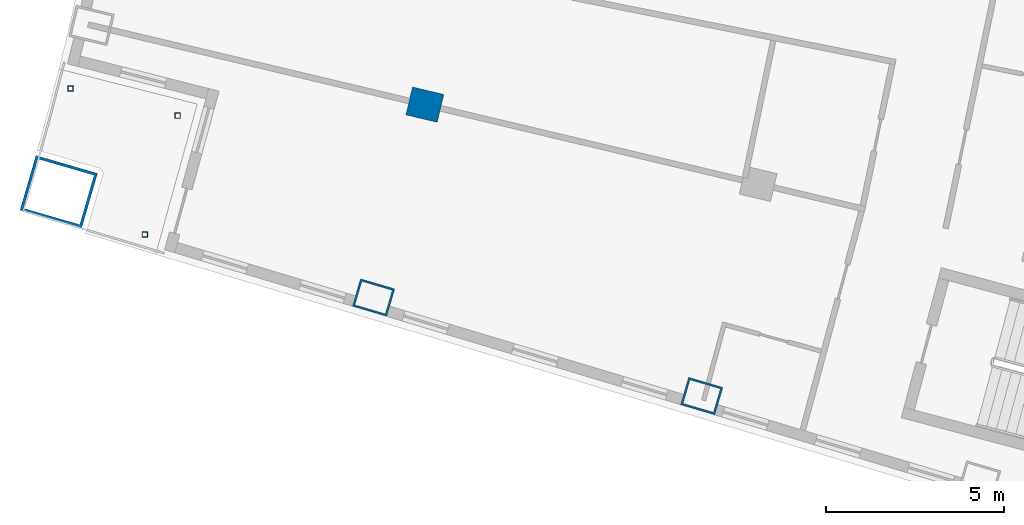
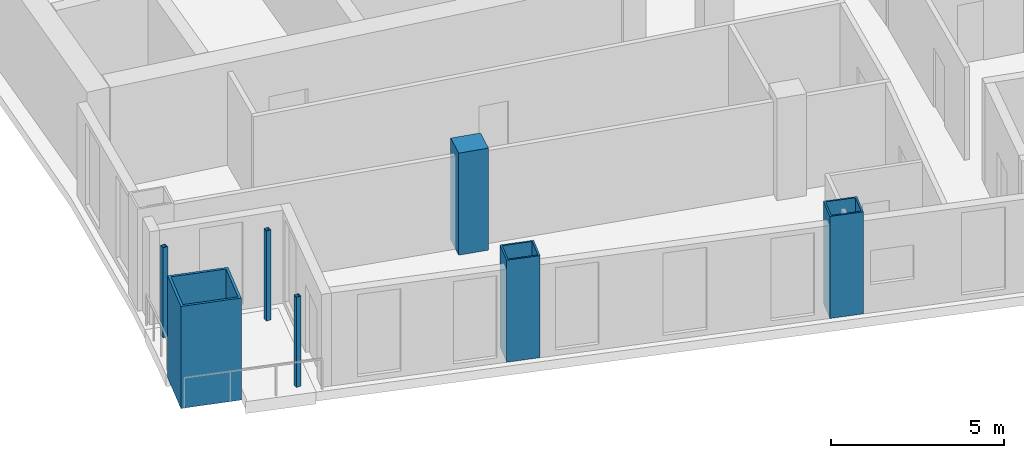
# One storey, part 1 of 20: 7 columns.
"""IFC4 building model written with IfcOpenShell, lengths in metres."""

from ifc_helpers import new_model, si_unit, direction, frame, origin, origin_2d, place, context, subcontext, project, spatial, rectangle, hollow_rectangle, extrude, material, material_profile, profile_set, type_object, element, save


model = new_model("IFC4")

# Units and contexts
model_context = context("Model", 3, precision=1e-05, world=origin(), true_north=direction((0.0, 1.0)))
body_context = subcontext(model_context, "Body", "Model", "MODEL_VIEW")
ifc_project = project(units=[si_unit("LENGTHUNIT", "METRE"), si_unit("AREAUNIT", "SQUARE_METRE"), si_unit("VOLUMEUNIT", "CUBIC_METRE"), si_unit("PLANEANGLEUNIT", "RADIAN"), si_unit("MASSUNIT", "GRAM", prefix="KILO")], contexts=[model_context])

# Site, building, storey
site_placement = place(None, origin())
site = spatial("IfcSite", under=ifc_project, at=site_placement, CompositionType="ELEMENT")
building_placement = place(site_placement, origin())
building = spatial("IfcBuilding", under=site, at=building_placement, Name="Alderwake Tower", CompositionType="ELEMENT")
storey_placement = place(building_placement, frame((0.0, 0.0, 142.39990234375)))
storey = spatial("IfcBuildingStorey", under=building, at=storey_placement, Name="L34", CompositionType="ELEMENT", Elevation=142.39990234375)

# Columns
ifc_material_1 = material(Name="Steel ASTM A572 Grade 50 concrete filled C70/85", Category="concrete")
ifc_material_profile_1 = material_profile(ifc_material_1, hollow_rectangle(XDim=0.800048828125, YDim=1.0, WallThickness=0.054931640625, at=origin_2d()), Name="BOX 1000X800X55")
ifc_profile_set_1 = profile_set([ifc_material_profile_1], Name="Steel ASTM A572 Grade 50 concrete filled C70/85")
column_type_1 = type_object("IfcColumnType", Name="End column Z3", PredefinedType="COLUMN", material=ifc_profile_set_1)
for number, where, z_axis, x_axis, name in (
    (1, (21.885498046875, 31.03759765625, 0.0), (0.0, 0.0, 1.0), (0.282132160283, 0.95937554906, 0.0), "Column R02-C1"),
    (2, (31.080322265625, 28.27685546875, 0.0), (0.0, 0.0, 1.0), (0.282582549822, 0.959242984095, 0.0), "Column R02-C2"),
):
    element("IfcColumn", number, at=place(storey_placement, frame(where, z_axis=z_axis, x_axis=x_axis)), inside=storey, type_object=column_type_1, Name=name, PredefinedType="COLUMN", context=body_context, shape_type="SweptSolid", body=[
        extrude(hollow_rectangle(XDim=0.800048828125, YDim=1.0, WallThickness=0.054931640625, at=origin_2d()), origin(), (0.0, 0.0, 1.0), 3.60009765625),
    ])
ifc_material_2 = material(Name="Concrete C70/85", Category="concrete")
ifc_material_profile_2 = material_profile(ifc_material_2, rectangle(XDim=0.800048828125, YDim=0.89990234375, at=origin_2d()), Name="RC 900X800")
ifc_profile_set_2 = profile_set([ifc_material_profile_2], Name="Concrete C70/85")
column_type_2 = type_object("IfcColumnType", Name="Interior column Z3", PredefinedType="COLUMN", material=ifc_profile_set_2)
column_1_placement = place(storey_placement, frame((23.322021484375, 36.444091796875, 0.0), z_axis=(0.0, 0.0, 1.0), x_axis=(0.231221547198, 0.972901123502, 0.0)))
element("IfcColumn", 3, at=column_1_placement, inside=storey, type_object=column_type_2, Name="Column R03-C1", PredefinedType="COLUMN", context=body_context, shape_type="SweptSolid", body=[
    extrude(rectangle(XDim=0.800048828125, YDim=0.89990234375, at=origin_2d()), origin(), (0.0, 0.0, 1.0), 3.60009765625),
])
ifc_material_3 = material(Name="Steel ASTM A500 Grade C", Category="steel")
ifc_material_profile_3 = material_profile(ifc_material_3, hollow_rectangle(XDim=0.15234375, YDim=0.15234375, WallThickness=0.0087890625, at=origin_2d()), Name="HSS6X6X3/8")
ifc_profile_set_3 = profile_set([ifc_material_profile_3], Name="Steel ASTM A500 Grade C")
column_type_3 = type_object("IfcColumnType", Name="Light post HSS6X6X3/8", PredefinedType="COLUMN", material=ifc_profile_set_3)
for number, where, z_axis, x_axis, name in (
    (4, (13.3896484375, 36.896484375, 0.0), (0.0, 0.0, 1.0), (1.0, 0.0, 0.0), "Terrace post RS1"),
    (5, (15.47412109375, 32.805908203125, 0.0), (0.0, 0.0, 1.0), (1.0, 0.0, 0.0), "Terrace post RS2"),
    (6, (16.39501953125, 36.135986328125, 0.0), (0.0, 0.0, 1.0), (1.0, 0.0, 0.0), "Terrace post RS3"),
):
    element("IfcColumn", number, at=place(storey_placement, frame(where, z_axis=z_axis, x_axis=x_axis)), inside=storey, type_object=column_type_3, Name=name, PredefinedType="COLUMN", context=body_context, shape_type="SweptSolid", body=[
        extrude(hollow_rectangle(XDim=0.15234375, YDim=0.15234375, WallThickness=0.0087890625, at=origin_2d()), origin(), (0.0, 0.0, 1.0), 3.18017578125),
    ])
ifc_material_4 = material(Name="Steel ASTM A572 Grade 50 concrete filled C70/85", Category="concrete")
ifc_material_profile_4 = material_profile(ifc_material_4, hollow_rectangle(XDim=1.60009765625, YDim=1.800048828125, WallThickness=0.080078125, at=origin_2d()), Name="BOX 1800X1600X80")
ifc_profile_set_4 = profile_set([ifc_material_profile_4], Name="Steel ASTM A572 Grade 50 concrete filled C70/85")
column_type_4 = type_object("IfcColumnType", Name="Mega column Z3", PredefinedType="COLUMN", material=ifc_profile_set_4)
column_2_placement = place(storey_placement, frame((13.06298828125, 34.00244140625, 0.0), z_axis=(0.0, 0.0, 1.0), x_axis=(0.278612301868, 0.960403657452, 0.0)))
element("IfcColumn", 7, at=column_2_placement, inside=storey, type_object=column_type_4, Name="Column R02-C0", PredefinedType="COLUMN", context=body_context, shape_type="SweptSolid", body=[
    extrude(hollow_rectangle(XDim=1.60009765625, YDim=1.800048828125, WallThickness=0.080078125, at=origin_2d()), origin(), (0.0, 0.0, 1.0), 3.60009765625),
])

save(model, "model.ifc")
